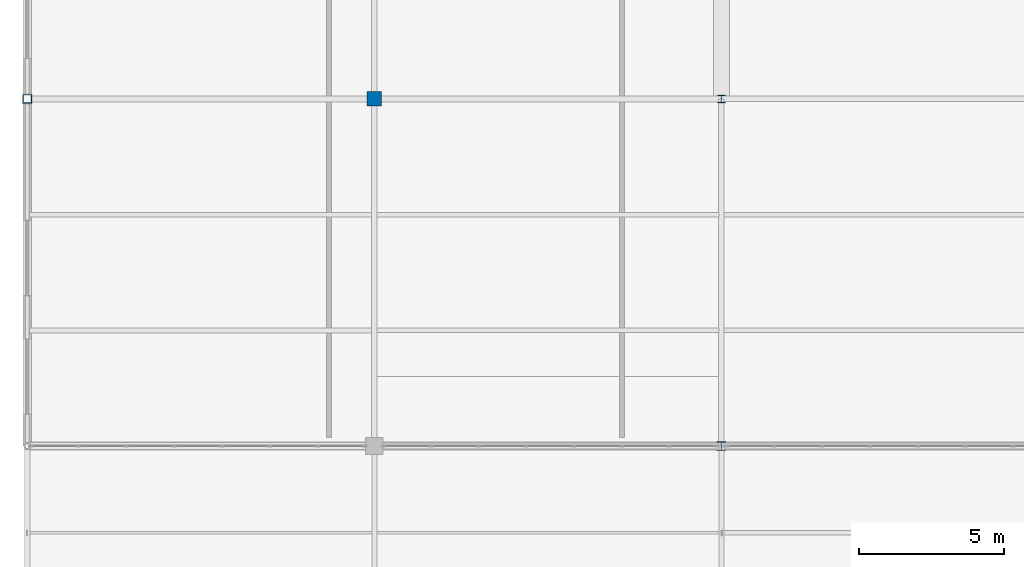
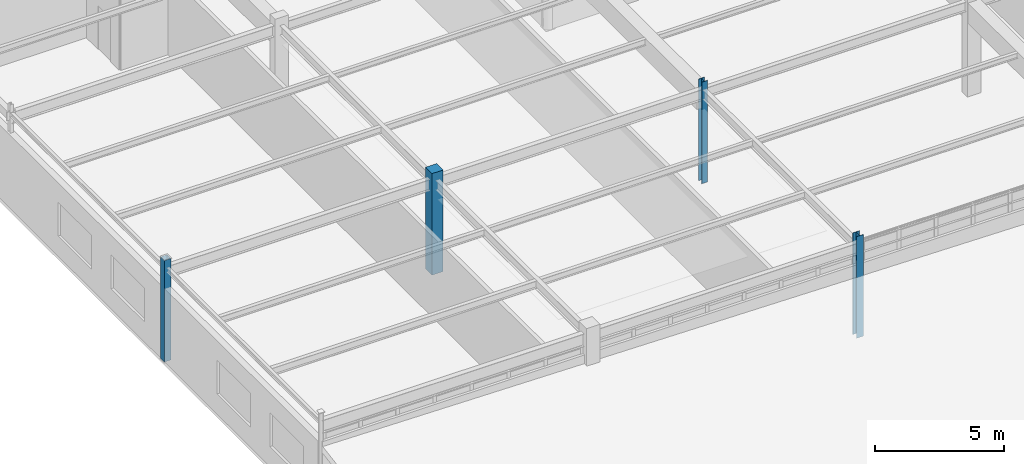
# One storey, part 4 of 226: 4 columns.
"""IFC4 building model written with IfcOpenShell, lengths in metres."""

from ifc_helpers import new_model, si_unit, direction, frame, origin, origin_2d, place, context, subcontext, project, spatial, rectangle, hollow_rectangle, i_section, extrude, material, material_profile, profile_set, type_object, element, save


model = new_model("IFC4")

# Units and contexts
model_context = context("Model", 3, precision=1e-05, world=origin(), true_north=direction((0.0, 1.0)))
body_context = subcontext(model_context, "Body", "Model", "MODEL_VIEW")
ifc_project = project(units=[si_unit("LENGTHUNIT", "METRE"), si_unit("AREAUNIT", "SQUARE_METRE"), si_unit("VOLUMEUNIT", "CUBIC_METRE"), si_unit("PLANEANGLEUNIT", "RADIAN"), si_unit("MASSUNIT", "GRAM", prefix="KILO")], contexts=[model_context])

# Site, building, storey
site_placement = place(None, origin())
site = spatial("IfcSite", under=ifc_project, at=site_placement, CompositionType="ELEMENT")
building_placement = place(site_placement, origin())
building = spatial("IfcBuilding", under=site, at=building_placement, Name="Tarnwether General Hospital", CompositionType="ELEMENT")
storey_placement = place(building_placement, frame((0.0, 0.0, 4.800048828125)))
storey = spatial("IfcBuildingStorey", under=building, at=storey_placement, Name="L01", CompositionType="ELEMENT", Elevation=4.800048828125)

# Columns
ifc_material_1 = material(Name="Steel Grade 350 (350 MPa)", Category="steel")
ifc_material_profile_1 = material_profile(ifc_material_1, i_section(OverallWidth=0.304931640625, OverallDepth=0.30810546875, WebThickness=0.010009765625, FlangeThickness=0.015380859375, at=origin_2d()), Name="310UC96.8")
ifc_profile_set_1 = profile_set([ifc_material_profile_1], Name="Steel Grade 350 (350 MPa)")
column_type_1 = type_object("IfcColumnType", Name="COL-08", PredefinedType="COLUMN", material=ifc_profile_set_1)
column_1_placement = place(storey_placement, frame((24.0, 45.60009765625, 0.0), z_axis=(0.0, 0.0, 1.0), x_axis=(1.0, 0.0, 0.0)))
element("IfcColumn", 1, at=column_1_placement, inside=storey, type_object=column_type_1, Name="Column COLG-L01-2400_4560", PredefinedType="COLUMN", context=body_context, shape_type="SweptSolid", body=[
    extrude(i_section(OverallWidth=0.304931640625, OverallDepth=0.30810546875, WebThickness=0.010009765625, FlangeThickness=0.015380859375, at=origin_2d()), origin(), (0.0, 0.0, 1.0), 4.800048828125),
])
ifc_material_2 = material(Name="Steel Grade 350 (350 MPa)", Category="steel")
ifc_material_profile_2 = material_profile(ifc_material_2, i_section(OverallWidth=0.256103515625, OverallDepth=0.260009765625, WebThickness=0.010498046875, FlangeThickness=0.017333984375, at=origin_2d()), Name="250UC89.5")
ifc_profile_set_2 = profile_set([ifc_material_profile_2], Name="Steel Grade 350 (350 MPa)")
column_type_2 = type_object("IfcColumnType", Name="COL-09", PredefinedType="COLUMN", material=ifc_profile_set_2)
column_2_placement = place(storey_placement, frame((24.0, 57.60009765625, 0.0), z_axis=(0.0, 0.0, 1.0), x_axis=(1.0, 0.0, 0.0)))
element("IfcColumn", 2, at=column_2_placement, inside=storey, type_object=column_type_2, Name="Column COLG-L01-2400_5760", PredefinedType="COLUMN", context=body_context, shape_type="SweptSolid", body=[
    extrude(i_section(OverallWidth=0.256103515625, OverallDepth=0.260009765625, WebThickness=0.010498046875, FlangeThickness=0.017333984375, at=origin_2d()), origin(), (0.0, 0.0, 1.0), 4.800048828125),
])
ifc_material_3 = material(Name="Concrete 50 MPa", Category="concrete")
ifc_material_profile_3 = material_profile(ifc_material_3, rectangle(XDim=0.5, YDim=0.5, at=origin_2d()), Name="RC-COL-500x500")
ifc_profile_set_3 = profile_set([ifc_material_profile_3], Name="Concrete 50 MPa")
column_type_3 = type_object("IfcColumnType", Name="COL-20", PredefinedType="COLUMN", material=ifc_profile_set_3)
column_3_placement = place(storey_placement, frame((12.0, 57.60009765625, 0.0), z_axis=(0.0, 0.0, 1.0), x_axis=(0.0, 1.0, 0.0)))
element("IfcColumn", 3, at=column_3_placement, inside=storey, type_object=column_type_3, Name="Column COLG-L01-1200_5760", PredefinedType="COLUMN", context=body_context, shape_type="SweptSolid", body=[
    extrude(rectangle(XDim=0.5, YDim=0.5, at=origin_2d()), origin(), (0.0, 0.0, 1.0), 4.800048828125),
])
ifc_material_4 = material(Name="Steel Grade C350L0 (350 MPa)", Category="steel")
ifc_material_profile_4 = material_profile(ifc_material_4, hollow_rectangle(XDim=0.300048828125, YDim=0.300048828125, WallThickness=0.012451171875, at=origin_2d()), Name="SHS300x300x12.5")
ifc_profile_set_4 = profile_set([ifc_material_profile_4], Name="Steel Grade C350L0 (350 MPa)")
column_type_4 = type_object("IfcColumnType", Name="COL-30", PredefinedType="COLUMN", material=ifc_profile_set_4)
column_4_placement = place(storey_placement, frame((0.0, 57.60009765625, 0.0), z_axis=(0.0, 0.0, 1.0), x_axis=(1.0, 0.0, 0.0)))
element("IfcColumn", 4, at=column_4_placement, inside=storey, type_object=column_type_4, Name="Column COLG-L01-0_5760", PredefinedType="COLUMN", context=body_context, shape_type="SweptSolid", body=[
    extrude(hollow_rectangle(XDim=0.300048828125, YDim=0.300048828125, WallThickness=0.012451171875, at=origin_2d()), origin(), (0.0, 0.0, 1.0), 4.800048828125),
])

save(model, "model.ifc")
